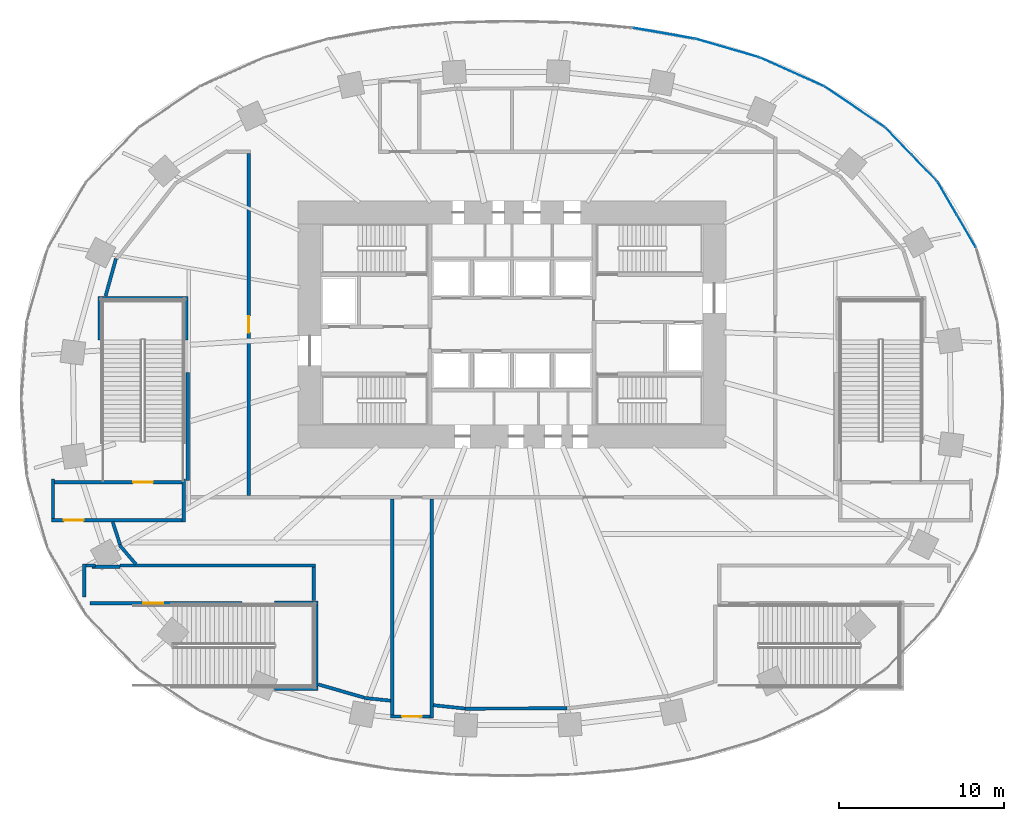
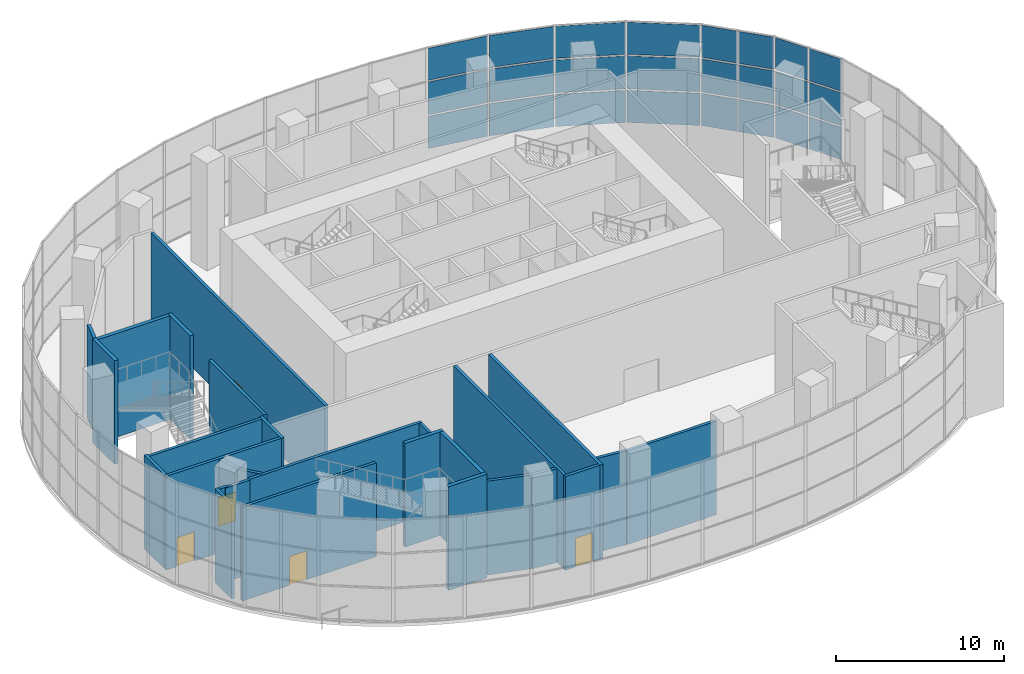
# One storey, part 13 of 22: 28 walls, 24 plates, 5 doors, 5 openings, 6 elements without a shape of their own.
"""IFC4 building model written with IfcOpenShell, lengths in metres."""

from ifc_helpers import new_model, si_unit, direction, frame, frame_2d, origin, origin_2d, place, context, subcontext, project, spatial, rectangle, extrude, material, layer, layer_set, type_object, element, fill, aggregate, save


model = new_model("IFC4")

# Units and contexts
model_context = context("Model", 3, precision=1e-05, world=origin(), true_north=direction((0.0, 1.0)))
body_context = subcontext(model_context, "Body", "Model", "MODEL_VIEW")
ifc_project = project(units=[si_unit("LENGTHUNIT", "METRE"), si_unit("AREAUNIT", "SQUARE_METRE"), si_unit("VOLUMEUNIT", "CUBIC_METRE"), si_unit("PLANEANGLEUNIT", "RADIAN"), si_unit("MASSUNIT", "GRAM", prefix="KILO")], contexts=[model_context])

# Site, building, storey
site_placement = place(None, origin())
site = spatial("IfcSite", under=ifc_project, at=site_placement, CompositionType="ELEMENT")
building_placement = place(site_placement, origin())
building = spatial("IfcBuilding", under=site, at=building_placement, Name="Rubra Terraces Tower", CompositionType="ELEMENT")
storey_placement = place(building_placement, frame((0.0, 0.0, 7.199951171875)))
storey = spatial("IfcBuildingStorey", under=building, at=storey_placement, Name="L01", CompositionType="ELEMENT", Elevation=7.199951171875)

# Curtain wall, plates
ifc_material_1 = material(Name="Aluminium and glass", Category="aluminium")
curtain_wall_type = type_object("IfcCurtainWallType", Name="Curtain wall Podium glazing", PredefinedType="NOTDEFINED", material=ifc_material_1)
curtain_wall_1_placement = place(storey_placement, origin())
curtain_wall_1 = element("IfcCurtainWall", 1, at=curtain_wall_1_placement, inside=storey, type_object=curtain_wall_type, Name="L01 glazing bay 3", PredefinedType="NOTDEFINED")
ifc_material_2 = material(Name="Clear glass, laminated", Category="glass")
ifc_layer_1 = layer(ifc_material_2, 0.028076171875)
ifc_layer_set_1 = layer_set([ifc_layer_1], Name="Clear glass, laminated")
plate_type = type_object("IfcPlateType", Name="Podium glazing glass panel 28", PredefinedType="CURTAIN_PANEL", material=ifc_layer_set_1)
plate_1_placement = place(storey_placement, frame((27.611083984375, 10.1669921875, 0.1201171875), z_axis=(0.0, 0.0, 1.0), x_axis=(-0.502094070187, 0.864813011398, 0.0)))
plate_1 = element("IfcPlate", 2, at=plate_1_placement, type_object=plate_type, Name="CW1 panel 1.1", PredefinedType="CURTAIN_PANEL", context=body_context, shape_type="SweptSolid", body=[
    extrude(rectangle(XDim=2.23828125, YDim=0.028076171875, at=origin_2d()), origin(), (0.0, 0.0, 1.0), 2.336669921875),
])
plate_2_placement = place(storey_placement, frame((27.611083984375, 10.1669921875, 2.576904296875), z_axis=(0.0, 0.0, 1.0), x_axis=(-0.502094070187, 0.864813011398, 0.0)))
plate_2 = element("IfcPlate", 3, at=plate_2_placement, type_object=plate_type, Name="CW1 panel 1.2", PredefinedType="CURTAIN_PANEL", context=body_context, shape_type="SweptSolid", body=[
    extrude(rectangle(XDim=2.23828125, YDim=0.028076171875, at=origin_2d()), origin(), (0.0, 0.0, 1.0), 2.396484375),
])
plate_3_placement = place(storey_placement, frame((27.611083984375, 10.1669921875, 5.09326171875), z_axis=(0.0, 0.0, 1.0), x_axis=(-0.502094070187, 0.864813011398, 0.0)))
plate_3 = element("IfcPlate", 4, at=plate_3_placement, type_object=plate_type, Name="CW1 panel 1.3", PredefinedType="CURTAIN_PANEL", context=body_context, shape_type="SweptSolid", body=[
    extrude(rectangle(XDim=2.23828125, YDim=0.028076171875, at=origin_2d()), origin(), (0.0, 0.0, 1.0), 2.336669921875),
])
plate_4_placement = place(storey_placement, frame((26.45703125, 12.154541015625, 0.1201171875), z_axis=(0.0, 0.0, 1.0), x_axis=(-0.502094070187, 0.864813011398, 0.0)))
plate_4 = element("IfcPlate", 5, at=plate_4_placement, type_object=plate_type, Name="CW1 panel 2.1", PredefinedType="CURTAIN_PANEL", context=body_context, shape_type="SweptSolid", body=[
    extrude(rectangle(XDim=2.23828125, YDim=0.028076171875, at=origin_2d()), origin(), (0.0, 0.0, 1.0), 2.336669921875),
])
plate_5_placement = place(storey_placement, frame((26.45703125, 12.154541015625, 2.576904296875), z_axis=(0.0, 0.0, 1.0), x_axis=(-0.502094070187, 0.864813011398, 0.0)))
plate_5 = element("IfcPlate", 6, at=plate_5_placement, type_object=plate_type, Name="CW1 panel 2.2", PredefinedType="CURTAIN_PANEL", context=body_context, shape_type="SweptSolid", body=[
    extrude(rectangle(XDim=2.23828125, YDim=0.028076171875, at=origin_2d()), origin(), (0.0, 0.0, 1.0), 2.396484375),
])
plate_6_placement = place(storey_placement, frame((26.45703125, 12.154541015625, 5.09326171875), z_axis=(0.0, 0.0, 1.0), x_axis=(-0.502094070187, 0.864813011398, 0.0)))
plate_6 = element("IfcPlate", 7, at=plate_6_placement, type_object=plate_type, Name="CW1 panel 2.3", PredefinedType="CURTAIN_PANEL", context=body_context, shape_type="SweptSolid", body=[
    extrude(rectangle(XDim=2.23828125, YDim=0.028076171875, at=origin_2d()), origin(), (0.0, 0.0, 1.0), 2.336669921875),
])
aggregate(curtain_wall_1, [plate_1, plate_2, plate_3, plate_4, plate_5, plate_6])

curtain_wall_2_placement = place(storey_placement, origin())
curtain_wall_2 = element("IfcCurtainWall", 8, at=curtain_wall_2_placement, inside=storey, type_object=curtain_wall_type, Name="L01 glazing bay 4", PredefinedType="NOTDEFINED")
plate_7_placement = place(storey_placement, frame((25.06787109375, 13.998046875, 0.1201171875), z_axis=(0.0, 0.0, 1.0), x_axis=(-0.69415569917, 0.71982488517, 0.0)))
plate_7 = element("IfcPlate", 9, at=plate_7_placement, type_object=plate_type, Name="CW1 panel 1.1", PredefinedType="CURTAIN_PANEL", context=body_context, shape_type="SweptSolid", body=[
    extrude(rectangle(XDim=2.20849609375, YDim=0.028076171875, at=origin_2d()), origin(), (0.0, 0.0, 1.0), 2.336669921875),
])
plate_8_placement = place(storey_placement, frame((25.06787109375, 13.998046875, 2.576904296875), z_axis=(0.0, 0.0, 1.0), x_axis=(-0.69415569917, 0.71982488517, 0.0)))
plate_8 = element("IfcPlate", 10, at=plate_8_placement, type_object=plate_type, Name="CW1 panel 1.2", PredefinedType="CURTAIN_PANEL", context=body_context, shape_type="SweptSolid", body=[
    extrude(rectangle(XDim=2.20849609375, YDim=0.028076171875, at=origin_2d()), origin(), (0.0, 0.0, 1.0), 2.396484375),
])
plate_9_placement = place(storey_placement, frame((25.06787109375, 13.998046875, 5.09326171875), z_axis=(0.0, 0.0, 1.0), x_axis=(-0.69415569917, 0.71982488517, 0.0)))
plate_9 = element("IfcPlate", 11, at=plate_9_placement, type_object=plate_type, Name="CW1 panel 1.3", PredefinedType="CURTAIN_PANEL", context=body_context, shape_type="SweptSolid", body=[
    extrude(rectangle(XDim=2.20849609375, YDim=0.028076171875, at=origin_2d()), origin(), (0.0, 0.0, 1.0), 2.336669921875),
])
plate_10_placement = place(storey_placement, frame((23.4931640625, 15.630859375, 0.1201171875), z_axis=(0.0, 0.0, 1.0), x_axis=(-0.69415569917, 0.71982488517, 0.0)))
plate_10 = element("IfcPlate", 12, at=plate_10_placement, type_object=plate_type, Name="CW1 panel 2.1", PredefinedType="CURTAIN_PANEL", context=body_context, shape_type="SweptSolid", body=[
    extrude(rectangle(XDim=2.20849609375, YDim=0.028076171875, at=origin_2d()), origin(), (0.0, 0.0, 1.0), 2.336669921875),
])
plate_11_placement = place(storey_placement, frame((23.4931640625, 15.630859375, 2.576904296875), z_axis=(0.0, 0.0, 1.0), x_axis=(-0.69415569917, 0.71982488517, 0.0)))
plate_11 = element("IfcPlate", 13, at=plate_11_placement, type_object=plate_type, Name="CW1 panel 2.2", PredefinedType="CURTAIN_PANEL", context=body_context, shape_type="SweptSolid", body=[
    extrude(rectangle(XDim=2.20849609375, YDim=0.028076171875, at=origin_2d()), origin(), (0.0, 0.0, 1.0), 2.396484375),
])
plate_12_placement = place(storey_placement, frame((23.4931640625, 15.630859375, 5.09326171875), z_axis=(0.0, 0.0, 1.0), x_axis=(-0.69415569917, 0.71982488517, 0.0)))
plate_12 = element("IfcPlate", 14, at=plate_12_placement, type_object=plate_type, Name="CW1 panel 2.3", PredefinedType="CURTAIN_PANEL", context=body_context, shape_type="SweptSolid", body=[
    extrude(rectangle(XDim=2.20849609375, YDim=0.028076171875, at=origin_2d()), origin(), (0.0, 0.0, 1.0), 2.336669921875),
])
aggregate(curtain_wall_2, [plate_7, plate_8, plate_9, plate_10, plate_11, plate_12])

curtain_wall_3_placement = place(storey_placement, origin())
curtain_wall_3 = element("IfcCurtainWall", 15, at=curtain_wall_3_placement, inside=storey, type_object=curtain_wall_type, Name="L01 glazing bay 5", PredefinedType="NOTDEFINED")
plate_13_placement = place(storey_placement, frame((20.840576171875, 17.711181640625, 0.1201171875), z_axis=(0.0, 0.0, 1.0), x_axis=(-0.828980654031, 0.55927727939, 0.0)))
plate_13 = element("IfcPlate", 16, at=plate_13_placement, type_object=plate_type, Name="CW1 panel 1.1", PredefinedType="CURTAIN_PANEL", context=body_context, shape_type="SweptSolid", body=[
    extrude(rectangle(XDim=4.35888671875, YDim=0.028076171875, at=origin_2d()), origin(), (0.0, 0.0, 1.0), 2.336669921875),
])
plate_14_placement = place(storey_placement, frame((20.840576171875, 17.711181640625, 2.576904296875), z_axis=(0.0, 0.0, 1.0), x_axis=(-0.828980654031, 0.55927727939, 0.0)))
plate_14 = element("IfcPlate", 17, at=plate_14_placement, type_object=plate_type, Name="CW1 panel 1.2", PredefinedType="CURTAIN_PANEL", context=body_context, shape_type="SweptSolid", body=[
    extrude(rectangle(XDim=4.35888671875, YDim=0.028076171875, at=origin_2d()), origin(), (0.0, 0.0, 1.0), 2.396484375),
])
plate_15_placement = place(storey_placement, frame((20.840576171875, 17.711181640625, 5.09326171875), z_axis=(0.0, 0.0, 1.0), x_axis=(-0.828980654031, 0.55927727939, 0.0)))
plate_15 = element("IfcPlate", 18, at=plate_15_placement, type_object=plate_type, Name="CW1 panel 1.3", PredefinedType="CURTAIN_PANEL", context=body_context, shape_type="SweptSolid", body=[
    extrude(rectangle(XDim=4.35888671875, YDim=0.028076171875, at=origin_2d()), origin(), (0.0, 0.0, 1.0), 2.336669921875),
])
aggregate(curtain_wall_3, [plate_13, plate_14, plate_15])

curtain_wall_4_placement = place(storey_placement, origin())
curtain_wall_4 = element("IfcCurtainWall", 19, at=curtain_wall_4_placement, inside=storey, type_object=curtain_wall_type, Name="L01 glazing bay 6", PredefinedType="NOTDEFINED")
plate_16_placement = place(storey_placement, frame((17.03271484375, 19.837158203125, 0.1201171875), z_axis=(0.0, 0.0, 1.0), x_axis=(-0.912551215254, 0.4089624427, 0.0)))
plate_16 = element("IfcPlate", 20, at=plate_16_placement, type_object=plate_type, Name="CW1 panel 1.1", PredefinedType="CURTAIN_PANEL", context=body_context, shape_type="SweptSolid", body=[
    extrude(rectangle(XDim=4.18115234375, YDim=0.028076171875, at=origin_2d()), origin(), (0.0, 0.0, 1.0), 2.336669921875),
])
plate_17_placement = place(storey_placement, frame((17.03271484375, 19.837158203125, 2.576904296875), z_axis=(0.0, 0.0, 1.0), x_axis=(-0.912551215254, 0.4089624427, 0.0)))
plate_17 = element("IfcPlate", 21, at=plate_17_placement, type_object=plate_type, Name="CW1 panel 1.2", PredefinedType="CURTAIN_PANEL", context=body_context, shape_type="SweptSolid", body=[
    extrude(rectangle(XDim=4.18115234375, YDim=0.028076171875, at=origin_2d()), origin(), (0.0, 0.0, 1.0), 2.396484375),
])
plate_18_placement = place(storey_placement, frame((17.03271484375, 19.837158203125, 5.09326171875), z_axis=(0.0, 0.0, 1.0), x_axis=(-0.912551215254, 0.4089624427, 0.0)))
plate_18 = element("IfcPlate", 22, at=plate_18_placement, type_object=plate_type, Name="CW1 panel 1.3", PredefinedType="CURTAIN_PANEL", context=body_context, shape_type="SweptSolid", body=[
    extrude(rectangle(XDim=4.18115234375, YDim=0.028076171875, at=origin_2d()), origin(), (0.0, 0.0, 1.0), 2.336669921875),
])
aggregate(curtain_wall_4, [plate_16, plate_17, plate_18])

curtain_wall_5_placement = place(storey_placement, origin())
curtain_wall_5 = element("IfcCurtainWall", 23, at=curtain_wall_5_placement, inside=storey, type_object=curtain_wall_type, Name="L01 glazing bay 7", PredefinedType="NOTDEFINED")
plate_19_placement = place(storey_placement, frame((13.115966796875, 21.284423828125, 0.1201171875), z_axis=(0.0, 0.0, 1.0), x_axis=(-0.96017502931, 0.279399200229, 0.0)))
plate_19 = element("IfcPlate", 24, at=plate_19_placement, type_object=plate_type, Name="CW1 panel 1.1", PredefinedType="CURTAIN_PANEL", context=body_context, shape_type="SweptSolid", body=[
    extrude(rectangle(XDim=3.970947265625, YDim=0.028076171875, at=origin_2d()), origin(), (0.0, 0.0, 1.0), 2.336669921875),
])
plate_20_placement = place(storey_placement, frame((13.115966796875, 21.284423828125, 2.576904296875), z_axis=(0.0, 0.0, 1.0), x_axis=(-0.96017502931, 0.279399200229, 0.0)))
plate_20 = element("IfcPlate", 25, at=plate_20_placement, type_object=plate_type, Name="CW1 panel 1.2", PredefinedType="CURTAIN_PANEL", context=body_context, shape_type="SweptSolid", body=[
    extrude(rectangle(XDim=3.970947265625, YDim=0.028076171875, at=origin_2d()), origin(), (0.0, 0.0, 1.0), 2.396484375),
])
plate_21_placement = place(storey_placement, frame((13.115966796875, 21.284423828125, 5.09326171875), z_axis=(0.0, 0.0, 1.0), x_axis=(-0.96017502931, 0.279399200229, 0.0)))
plate_21 = element("IfcPlate", 26, at=plate_21_placement, type_object=plate_type, Name="CW1 panel 1.3", PredefinedType="CURTAIN_PANEL", context=body_context, shape_type="SweptSolid", body=[
    extrude(rectangle(XDim=3.970947265625, YDim=0.028076171875, at=origin_2d()), origin(), (0.0, 0.0, 1.0), 2.336669921875),
])
aggregate(curtain_wall_5, [plate_19, plate_20, plate_21])

curtain_wall_6_placement = place(storey_placement, origin())
curtain_wall_6 = element("IfcCurtainWall", 27, at=curtain_wall_6_placement, inside=storey, type_object=curtain_wall_type, Name="L01 glazing bay 8", PredefinedType="NOTDEFINED")
plate_22_placement = place(storey_placement, frame((9.2451171875, 22.190185546875, 0.1201171875), z_axis=(0.0, 0.0, 1.0), x_axis=(-0.984953952909, 0.172816985997, 0.0)))
plate_22 = element("IfcPlate", 28, at=plate_22_placement, type_object=plate_type, Name="CW1 panel 1.1", PredefinedType="CURTAIN_PANEL", context=body_context, shape_type="SweptSolid", body=[
    extrude(rectangle(XDim=3.7685546875, YDim=0.028076171875, at=origin_2d()), origin(), (0.0, 0.0, 1.0), 2.336669921875),
])
plate_23_placement = place(storey_placement, frame((9.2451171875, 22.190185546875, 2.576904296875), z_axis=(0.0, 0.0, 1.0), x_axis=(-0.984953952909, 0.172816985997, 0.0)))
plate_23 = element("IfcPlate", 29, at=plate_23_placement, type_object=plate_type, Name="CW1 panel 1.2", PredefinedType="CURTAIN_PANEL", context=body_context, shape_type="SweptSolid", body=[
    extrude(rectangle(XDim=3.7685546875, YDim=0.028076171875, at=origin_2d()), origin(), (0.0, 0.0, 1.0), 2.396484375),
])
plate_24_placement = place(storey_placement, frame((9.2451171875, 22.190185546875, 5.09326171875), z_axis=(0.0, 0.0, 1.0), x_axis=(-0.984953952909, 0.172816985997, 0.0)))
plate_24 = element("IfcPlate", 30, at=plate_24_placement, type_object=plate_type, Name="CW1 panel 1.3", PredefinedType="CURTAIN_PANEL", context=body_context, shape_type="SweptSolid", body=[
    extrude(rectangle(XDim=3.7685546875, YDim=0.028076171875, at=origin_2d()), origin(), (0.0, 0.0, 1.0), 2.336669921875),
])
aggregate(curtain_wall_6, [plate_22, plate_23, plate_24])

# Wall
ifc_material_3 = material(Name="Blockwork", Category="masonry")
ifc_layer_2 = layer(ifc_material_3, 0.199951171875)
ifc_layer_set_2 = layer_set([ifc_layer_2], Name="Blockwork")
wall_type_1 = type_object("IfcWallType", Name="Corridor partition 200 blockwork", PredefinedType="PARTITIONING", material=ifc_layer_set_2)
wall_1_placement = place(storey_placement, frame((-19.949951171875, -4.89990234375, 0.0), z_axis=(0.0, 0.0, 1.0), x_axis=(0.0, -1.0, 0.0)))
element("IfcWall", 31, at=wall_1_placement, inside=storey, type_object=wall_type_1, Name="Partition wall", PredefinedType="PARTITIONING", context=body_context, shape_type="SweptSolid", body=[
    extrude(rectangle(XDim=2.60009765625, YDim=0.199951171875, at=frame_2d((1.300048828125, 0.0))), origin(), (0.0, 0.0, 1.0), 6.830078125),
])

# Wall, opening, door
wall_2_placement = place(storey_placement, frame((-20.050048828125, -7.39990234375, 0.0), z_axis=(0.0, 0.0, 1.0), x_axis=(-1.0, 0.0, 0.0)))
wall_2 = element("IfcWall", 32, at=wall_2_placement, inside=storey, type_object=wall_type_1, Name="Partition wall", PredefinedType="PARTITIONING", context=body_context, shape_type="SweptSolid", body=[
    extrude(rectangle(XDim=7.949951171875, YDim=0.199951171875, at=frame_2d((3.97509765625, 0.0))), origin(), (0.0, 0.0, 1.0), 6.830078125),
])
opening_1_placement = place(wall_2_placement, frame((5.97607421875, 0.0, 0.0)))
opening_1 = element("IfcOpeningElement", 33, at=opening_1_placement, cuts=wall_2, Name="Opening DB7", PredefinedType="OPENING", context=body_context, shape_type="SweptSolid", body=[
    extrude(rectangle(XDim=1.199951171875, YDim=2.10009765625, at=frame_2d((0.60009765625, 1.050048828125))), frame((0.0, 0.10986328125, 0.0), z_axis=(0.0, -1.0, 0.0), x_axis=(1.0, 0.0, 0.0)), (0.0, 0.0, 1.0), 0.219970703125),
])
ifc_material_4 = material(Name="Painted timber", Category="wood")
door_type_1 = type_object("IfcDoorType", Name="Door 1200x2100 single", OperationType="NOTDEFINED", PredefinedType="DOOR", material=ifc_material_4)
door_1_placement = place(opening_1_placement, origin())
door_1 = element("IfcDoor", 34, at=door_1_placement, inside=storey, type_object=door_type_1, Name="Door L01-06", OperationType="SINGLE_SWING_LEFT", OverallHeight=2.10009765625, OverallWidth=1.199951171875, PredefinedType="DOOR", context=body_context, shape_type="SweptSolid", body=[
    extrude(rectangle(XDim=1.199951171875, YDim=2.10009765625, at=frame_2d((0.60009765625, 1.050048828125))), frame((0.0, 0.02490234375, 0.0), z_axis=(0.0, -1.0, 0.0), x_axis=(1.0, 0.0, 0.0)), (0.0, 0.0, 1.0), 0.050048828125),
])
fill(opening_1, door_1)

# Wall
wall_3_placement = place(storey_placement, frame((-27.89990234375, -7.300048828125, 0.0), z_axis=(0.0, 0.0, 1.0), x_axis=(0.0, 1.0, 0.0)))
element("IfcWall", 35, at=wall_3_placement, inside=storey, type_object=wall_type_1, Name="Partition wall", PredefinedType="PARTITIONING", context=body_context, shape_type="SweptSolid", body=[
    extrude(rectangle(XDim=2.400146484375, YDim=0.199951171875, at=frame_2d((1.2001953125, 0.0))), origin(), (0.0, 0.0, 1.0), 6.830078125),
])

# Wall, opening, door
wall_4_placement = place(storey_placement, frame((-27.800048828125, -5.10009765625, 0.0), z_axis=(0.0, 0.0, 1.0), x_axis=(1.0, 0.0, 0.0)))
wall_4 = element("IfcWall", 36, at=wall_4_placement, inside=storey, type_object=wall_type_1, Name="Partition wall", PredefinedType="PARTITIONING", context=body_context, shape_type="SweptSolid", body=[
    extrude(rectangle(XDim=7.75, YDim=0.199951171875, at=frame_2d((3.875, 0.0))), origin(), (0.0, 0.0, 1.0), 6.830078125),
])
opening_2_placement = place(wall_4_placement, frame((4.77490234375, 0.0, 0.0)))
opening_2 = element("IfcOpeningElement", 37, at=opening_2_placement, cuts=wall_4, Name="Opening DB7", PredefinedType="OPENING", context=body_context, shape_type="SweptSolid", body=[
    extrude(rectangle(XDim=1.199951171875, YDim=2.10009765625, at=frame_2d((0.60009765625, 1.050048828125))), frame((0.0, 0.10986328125, 0.0), z_axis=(0.0, -1.0, 0.0), x_axis=(1.0, 0.0, 0.0)), (0.0, 0.0, 1.0), 0.219970703125),
])
door_2_placement = place(opening_2_placement, origin())
door_2 = element("IfcDoor", 38, at=door_2_placement, inside=storey, type_object=door_type_1, Name="Stair door L01-05", OperationType="SINGLE_SWING_LEFT", OverallHeight=2.10009765625, OverallWidth=1.199951171875, PredefinedType="DOOR", context=body_context, shape_type="SweptSolid", body=[
    extrude(rectangle(XDim=1.199951171875, YDim=2.10009765625, at=frame_2d((0.60009765625, 1.050048828125))), frame((0.0, 0.02490234375, 0.0), z_axis=(0.0, -1.0, 0.0), x_axis=(1.0, 0.0, 0.0)), (0.0, 0.0, 1.0), 0.050048828125),
])
fill(opening_2, door_2)

# Walls
wall_5_placement = place(storey_placement, frame((-25.52587890625, -10.23291015625, 0.0), z_axis=(0.0, 0.0, 1.0), x_axis=(1.0, 0.0, 0.0)))
element("IfcWall", 39, at=wall_5_placement, inside=storey, type_object=wall_type_1, Name="Partition wall", PredefinedType="PARTITIONING", context=body_context, shape_type="SweptSolid", body=[
    extrude(rectangle(XDim=1.699951171875, YDim=0.199951171875, at=frame_2d((0.85009765625, 0.0))), origin(), (0.0, 0.0, 1.0), 6.830078125),
])
wall_6_placement = place(storey_placement, frame((-23.825927734375, -10.14990234375, 0.0), z_axis=(0.0, 0.0, 1.0), x_axis=(1.0, 0.0, 0.0)))
element("IfcWall", 40, at=wall_6_placement, inside=storey, type_object=wall_type_1, Name="Partition wall", PredefinedType="PARTITIONING", context=body_context, shape_type="SweptSolid", body=[
    extrude(rectangle(XDim=11.885986328125, YDim=0.199951171875, at=frame_2d((5.94287109375, 0.0))), origin(), (0.0, 0.0, 1.0), 6.830078125),
])
wall_7_placement = place(storey_placement, frame((-12.0400390625, -10.25, 0.0), z_axis=(0.0, 0.0, 1.0), x_axis=(0.0, -1.0, 0.0)))
element("IfcWall", 41, at=wall_7_placement, inside=storey, type_object=wall_type_1, Name="Partition wall", PredefinedType="PARTITIONING", context=body_context, shape_type="SweptSolid", body=[
    extrude(rectangle(XDim=2.030029296875, YDim=0.199951171875, at=frame_2d((1.01513671875, 0.0))), origin(), (0.0, 0.0, 1.0), 6.830078125),
])

# Wall, opening, door
wall_8_placement = place(storey_placement, frame((-16.419921875, -12.449951171875, 0.0), z_axis=(0.0, 0.0, 1.0), x_axis=(-1.0, 0.0, 0.0)))
wall_8 = element("IfcWall", 42, at=wall_8_placement, inside=storey, type_object=wall_type_1, Name="Partition wall", PredefinedType="PARTITIONING", context=body_context, shape_type="SweptSolid", body=[
    extrude(rectangle(XDim=9.239990234375, YDim=0.199951171875, at=frame_2d((4.6201171875, 0.0))), origin(), (0.0, 0.0, 1.0), 6.830078125),
])
opening_3_placement = place(wall_8_placement, frame((4.780029296875, 0.0, 0.0)))
opening_3 = element("IfcOpeningElement", 43, at=opening_3_placement, cuts=wall_8, Name="Opening DB7", PredefinedType="OPENING", context=body_context, shape_type="SweptSolid", body=[
    extrude(rectangle(XDim=1.199951171875, YDim=2.10009765625, at=frame_2d((0.60009765625, 1.050048828125))), frame((0.0, 0.10986328125, 0.0), z_axis=(0.0, -1.0, 0.0), x_axis=(1.0, 0.0, 0.0)), (0.0, 0.0, 1.0), 0.219970703125),
])
door_3_placement = place(opening_3_placement, origin())
door_3 = element("IfcDoor", 44, at=door_3_placement, inside=storey, type_object=door_type_1, Name="Stair door L01-09", OperationType="SINGLE_SWING_LEFT", OverallHeight=2.10009765625, OverallWidth=1.199951171875, PredefinedType="DOOR", context=body_context, shape_type="SweptSolid", body=[
    extrude(rectangle(XDim=1.199951171875, YDim=2.10009765625, at=frame_2d((0.60009765625, 1.050048828125))), frame((0.0, 0.02490234375, 0.0), z_axis=(0.0, -1.0, 0.0), x_axis=(1.0, 0.0, 0.0)), (0.0, 0.0, 1.0), 0.050048828125),
])
fill(opening_3, door_3)

# Walls
wall_9_placement = place(storey_placement, frame((-26.0, -12.06298828125, 0.0), z_axis=(0.0, 0.0, 1.0), x_axis=(0.0, 1.0, 0.0)))
element("IfcWall", 45, at=wall_9_placement, inside=storey, type_object=wall_type_1, Name="Partition wall", PredefinedType="PARTITIONING", context=body_context, shape_type="SweptSolid", body=[
    extrude(rectangle(XDim=2.012939453125, YDim=0.199951171875, at=frame_2d((1.00634765625, 0.0))), origin(), (0.0, 0.0, 1.0), 6.830078125),
])
wall_10_placement = place(storey_placement, frame((-25.89990234375, -10.14990234375, 0.0), z_axis=(0.0, 0.0, 1.0), x_axis=(1.0, 0.0, 0.0)))
element("IfcWall", 46, at=wall_10_placement, inside=storey, type_object=wall_type_1, Name="Partition wall", PredefinedType="PARTITIONING", context=body_context, shape_type="SweptSolid", body=[
    extrude(rectangle(XDim=0.573974609375, YDim=0.199951171875, at=frame_2d((0.287109375, 0.0))), origin(), (0.0, 0.0, 1.0), 6.830078125),
])
wall_11_placement = place(storey_placement, frame((-4.8779296875, -6.10009765625, 0.0), z_axis=(0.0, 0.0, 1.0), x_axis=(0.0, -1.0, 0.0)))
element("IfcWall", 47, at=wall_11_placement, inside=storey, type_object=wall_type_1, Name="Partition wall", PredefinedType="PARTITIONING", context=body_context, shape_type="SweptSolid", body=[
    extrude(rectangle(XDim=13.330810546875, YDim=0.199951171875, at=frame_2d((6.66552734375, 0.0))), origin(), (0.0, 0.0, 1.0), 6.830078125),
])

# Wall, opening, door
wall_12_placement = place(storey_placement, frame((-4.97802734375, -19.3310546875, 0.0), z_axis=(0.0, 0.0, 1.0), x_axis=(-1.0, 0.0, 0.0)))
wall_12 = element("IfcWall", 48, at=wall_12_placement, inside=storey, type_object=wall_type_1, Name="Partition wall", PredefinedType="PARTITIONING", context=body_context, shape_type="SweptSolid", body=[
    extrude(rectangle(XDim=2.39990234375, YDim=0.199951171875, at=frame_2d((1.199951171875, 0.0))), origin(), (0.0, 0.0, 1.0), 6.830078125),
])
opening_4_placement = place(wall_12_placement, frame((0.5, 0.0, 0.0)))
opening_4 = element("IfcOpeningElement", 49, at=opening_4_placement, cuts=wall_12, Name="Opening DB7", PredefinedType="OPENING", context=body_context, shape_type="SweptSolid", body=[
    extrude(rectangle(XDim=1.199951171875, YDim=2.10009765625, at=frame_2d((0.60009765625, 1.050048828125))), frame((0.0, 0.10986328125, 0.0), z_axis=(0.0, -1.0, 0.0), x_axis=(1.0, 0.0, 0.0)), (0.0, 0.0, 1.0), 0.219970703125),
])
door_4_placement = place(opening_4_placement, origin())
door_4 = element("IfcDoor", 50, at=door_4_placement, inside=storey, type_object=door_type_1, Name="Door L01-04", OperationType="SINGLE_SWING_LEFT", OverallHeight=2.10009765625, OverallWidth=1.199951171875, PredefinedType="DOOR", context=body_context, shape_type="SweptSolid", body=[
    extrude(rectangle(XDim=1.199951171875, YDim=2.10009765625, at=frame_2d((0.60009765625, 1.050048828125))), frame((0.0, 0.02490234375, 0.0), z_axis=(0.0, -1.0, 0.0), x_axis=(1.0, 0.0, 0.0)), (0.0, 0.0, 1.0), 0.050048828125),
])
fill(opening_4, door_4)

# Walls
wall_13_placement = place(storey_placement, frame((-7.278076171875, -19.23095703125, 0.0), z_axis=(0.0, 0.0, 1.0), x_axis=(0.0, 1.0, 0.0)))
element("IfcWall", 51, at=wall_13_placement, inside=storey, type_object=wall_type_1, Name="Partition wall", PredefinedType="PARTITIONING", context=body_context, shape_type="SweptSolid", body=[
    extrude(rectangle(XDim=13.130859375, YDim=0.199951171875, at=frame_2d((6.5654296875, 0.0))), origin(), (0.0, 0.0, 1.0), 6.830078125),
])
wall_14_placement = place(storey_placement, frame((-24.697021484375, 6.22998046875, 0.0), z_axis=(0.0, 0.0, 1.0), x_axis=(0.267537104114, 0.963547558724, 0.0)))
element("IfcWall", 52, at=wall_14_placement, inside=storey, type_object=wall_type_1, Name="Partition wall", PredefinedType="PARTITIONING", context=body_context, shape_type="SweptSolid", body=[
    extrude(rectangle(XDim=2.35888671875, YDim=0.199951171875, at=frame_2d((1.179443359375, 0.0))), origin(), (0.0, 0.0, 1.0), 6.830078125),
])

# Wall, opening, door
wall_15_placement = place(storey_placement, frame((-16.0, 14.89990234375, 0.0), z_axis=(0.0, 0.0, 1.0), x_axis=(0.0, -1.0, 0.0)))
wall_15 = element("IfcWall", 53, at=wall_15_placement, inside=storey, type_object=wall_type_1, Name="Partition wall", PredefinedType="PARTITIONING", context=body_context, shape_type="SweptSolid", body=[
    extrude(rectangle(XDim=20.7998046875, YDim=0.199951171875, at=frame_2d((10.39990234375, 0.0))), origin(), (0.0, 0.0, 1.0), 6.830078125),
])
opening_5_placement = place(wall_15_placement, frame((9.89990234375, 0.0, 0.0)))
opening_5 = element("IfcOpeningElement", 54, at=opening_5_placement, cuts=wall_15, Name="Opening DB1", PredefinedType="OPENING", context=body_context, shape_type="SweptSolid", body=[
    extrude(rectangle(XDim=1.0, YDim=2.10009765625, at=frame_2d((0.5, 1.050048828125))), frame((0.0, 0.10986328125, 0.0), z_axis=(0.0, -1.0, 0.0), x_axis=(1.0, 0.0, 0.0)), (0.0, 0.0, 1.0), 0.219970703125),
])
door_type_2 = type_object("IfcDoorType", Name="Door 1000x2100 single", OperationType="NOTDEFINED", PredefinedType="DOOR", material=ifc_material_4)
door_5_placement = place(opening_5_placement, origin())
door_5 = element("IfcDoor", 55, at=door_5_placement, inside=storey, type_object=door_type_2, Name="Door L01-11", OperationType="SINGLE_SWING_LEFT", OverallHeight=2.10009765625, OverallWidth=1.0, PredefinedType="DOOR", context=body_context, shape_type="SweptSolid", body=[
    extrude(rectangle(XDim=1.0, YDim=2.10009765625, at=frame_2d((0.5, 1.050048828125))), frame((0.0, 0.02490234375, 0.0), z_axis=(0.0, -1.0, 0.0), x_axis=(1.0, 0.0, 0.0)), (0.0, 0.0, 1.0), 0.050048828125),
])
fill(opening_5, door_5)

# Walls
wall_16_placement = place(storey_placement, frame((3.345947265625, -18.823974609375, 0.0), z_axis=(0.0, 0.0, 1.0), x_axis=(-0.999988297333, -0.004837891778, 0.0)))
element("IfcWall", 56, at=wall_16_placement, inside=storey, type_object=wall_type_1, Name="Partition wall", PredefinedType="PARTITIONING", context=body_context, shape_type="SweptSolid", body=[
    extrude(rectangle(XDim=6.20703125, YDim=0.199951171875, at=frame_2d((3.103515625, 0.0))), origin(), (0.0, 0.0, 1.0), 6.830078125),
])
wall_17_placement = place(storey_placement, frame((-2.860107421875, -18.843994140625, 0.0), z_axis=(0.0, 0.0, 1.0), x_axis=(-0.994457513639, 0.105139210412, 0.0)))
element("IfcWall", 57, at=wall_17_placement, inside=storey, type_object=wall_type_1, Name="Partition wall", PredefinedType="PARTITIONING", context=body_context, shape_type="SweptSolid", body=[
    extrude(rectangle(XDim=1.9296875, YDim=0.199951171875, at=frame_2d((0.96484375, 0.0))), origin(), (0.0, 0.0, 1.0), 6.830078125),
])
wall_18_placement = place(storey_placement, frame((-7.376953125, -18.367919921875, 0.0), z_axis=(0.0, 0.0, 1.0), x_axis=(-0.994502173657, 0.104715932846, 0.0)))
element("IfcWall", 58, at=wall_18_placement, inside=storey, type_object=wall_type_1, Name="Partition wall", PredefinedType="PARTITIONING", context=body_context, shape_type="SweptSolid", body=[
    extrude(rectangle(XDim=1.632080078125, YDim=0.199951171875, at=frame_2d((0.81591796875, 0.0))), origin(), (0.0, 0.0, 1.0), 6.830078125),
])
wall_19_placement = place(storey_placement, frame((-8.9970703125, -18.178955078125, 0.0), z_axis=(0.0, 0.0, 1.0), x_axis=(-0.960718693411, 0.277524038834, 0.0)))
element("IfcWall", 59, at=wall_19_placement, inside=storey, type_object=wall_type_1, Name="Partition wall", PredefinedType="PARTITIONING", context=body_context, shape_type="SweptSolid", body=[
    extrude(rectangle(XDim=2.88623046875, YDim=0.199951171875, at=frame_2d((1.443115234375, 0.0))), origin(), (0.0, 0.0, 1.0), 6.830078125),
])
wall_20_placement = place(storey_placement, frame((-22.85888671875, -10.073974609375, 0.0), z_axis=(0.0, 0.0, 1.0), x_axis=(-0.648685680777, 0.761056428628, 0.0)))
element("IfcWall", 60, at=wall_20_placement, inside=storey, type_object=wall_type_1, Name="Partition wall", PredefinedType="PARTITIONING", context=body_context, shape_type="SweptSolid", body=[
    extrude(rectangle(XDim=1.529541015625, YDim=0.199951171875, at=frame_2d((0.7646484375, 0.0))), origin(), (0.0, 0.0, 1.0), 6.830078125),
])
wall_21_placement = place(storey_placement, frame((-23.81689453125, -8.89111328125, 0.0), z_axis=(0.0, 0.0, 1.0), x_axis=(-0.306321721395, 0.951928045076, 0.0)))
element("IfcWall", 61, at=wall_21_placement, inside=storey, type_object=wall_type_1, Name="Partition wall", PredefinedType="PARTITIONING", context=body_context, shape_type="SweptSolid", body=[
    extrude(rectangle(XDim=1.466552734375, YDim=0.199951171875, at=frame_2d((0.7333984375, 0.0))), origin(), (0.0, 0.0, 1.0), 6.830078125),
])
ifc_layer_3 = layer(ifc_material_3, 0.199951171875)
ifc_layer_set_3 = layer_set([ifc_layer_3], Name="Blockwork")
wall_type_2 = type_object("IfcWallType", Name="Room partition 200 blockwork", PredefinedType="PARTITIONING", material=ifc_layer_set_3)
wall_22_placement = place(storey_placement, frame((-19.699951171875, -5.0, 0.0), z_axis=(0.0, 0.0, 1.0), x_axis=(0.0, 1.0, 0.0)))
element("IfcWall", 62, at=wall_22_placement, inside=storey, type_object=wall_type_2, Name="Partition wall", PredefinedType="PARTITIONING", context=body_context, shape_type="SweptSolid", body=[
    extrude(rectangle(XDim=6.580078125, YDim=0.199951171875, at=frame_2d((3.2900390625, 0.0))), origin(), (0.0, 0.0, 1.0), 6.93408203125),
])
ifc_material_5 = material(Name="Concrete C40/50", Category="concrete")
ifc_layer_4 = layer(ifc_material_5, 0.25)
ifc_layer_set_4 = layer_set([ifc_layer_4], Name="Concrete C40/50")
wall_type_3 = type_object("IfcWallType", Name="Stair end wall 250 concrete", PredefinedType="SOLIDWALL", material=ifc_layer_set_4)
wall_23_placement = place(storey_placement, frame((-19.949951171875, 6.0849609375, 0.0), z_axis=(0.0, 0.0, 1.0), x_axis=(-1.0, 0.0, 0.0)))
element("IfcWall", 63, at=wall_23_placement, inside=storey, type_object=wall_type_3, Name="Stair end wall", PredefinedType="SOLIDWALL", context=body_context, shape_type="SweptSolid", body=[
    extrude(rectangle(XDim=4.949951171875, YDim=0.25, at=frame_2d((2.47509765625, 0.0))), origin(), (0.0, 0.0, 1.0), 7.550048828125),
])
for number, where, z_axis, x_axis, name in (
    (64, (-25.02490234375, 3.56005859375, 0.0), (0.0, 0.0, 1.0), (0.0, 1.0, 0.0), "Stair end wall"),
    (65, (-19.824951171875, 3.56005859375, 0.0), (0.0, 0.0, 1.0), (0.0, 1.0, 0.0), "Stair end wall"),
):
    element("IfcWall", number, at=place(storey_placement, frame(where, z_axis=z_axis, x_axis=x_axis)), inside=storey, type_object=wall_type_3, Name=name, PredefinedType="SOLIDWALL", context=body_context, shape_type="SweptSolid", body=[
        extrude(rectangle(XDim=2.64990234375, YDim=0.25, at=frame_2d((1.324951171875, 0.0))), origin(), (0.0, 0.0, 1.0), 7.550048828125),
    ])
wall_24_placement = place(storey_placement, frame((-11.9150390625, -17.5, 0.0), z_axis=(0.0, 0.0, 1.0), x_axis=(0.0, 1.0, 0.0)))
element("IfcWall", 66, at=wall_24_placement, inside=storey, type_object=wall_type_3, Name="Stair end wall", PredefinedType="SOLIDWALL", context=body_context, shape_type="SweptSolid", body=[
    extrude(rectangle(XDim=4.949951171875, YDim=0.25, at=frame_2d((2.47509765625, 0.0))), origin(), (0.0, 0.0, 1.0), 7.550048828125),
])
for number, where, z_axis, x_axis, name in (
    (67, (-14.43994140625, -17.625, 0.0), (0.0, 0.0, 1.0), (1.0, 0.0, 0.0), "Stair end wall"),
    (68, (-14.43994140625, -12.425048828125, 0.0), (0.0, 0.0, 1.0), (1.0, 0.0, 0.0), "Stair end wall"),
):
    element("IfcWall", number, at=place(storey_placement, frame(where, z_axis=z_axis, x_axis=x_axis)), inside=storey, type_object=wall_type_3, Name=name, PredefinedType="SOLIDWALL", context=body_context, shape_type="SweptSolid", body=[
        extrude(rectangle(XDim=2.64990234375, YDim=0.25, at=frame_2d((1.324951171875, 0.0))), origin(), (0.0, 0.0, 1.0), 7.550048828125),
    ])

save(model, "model.ifc")
